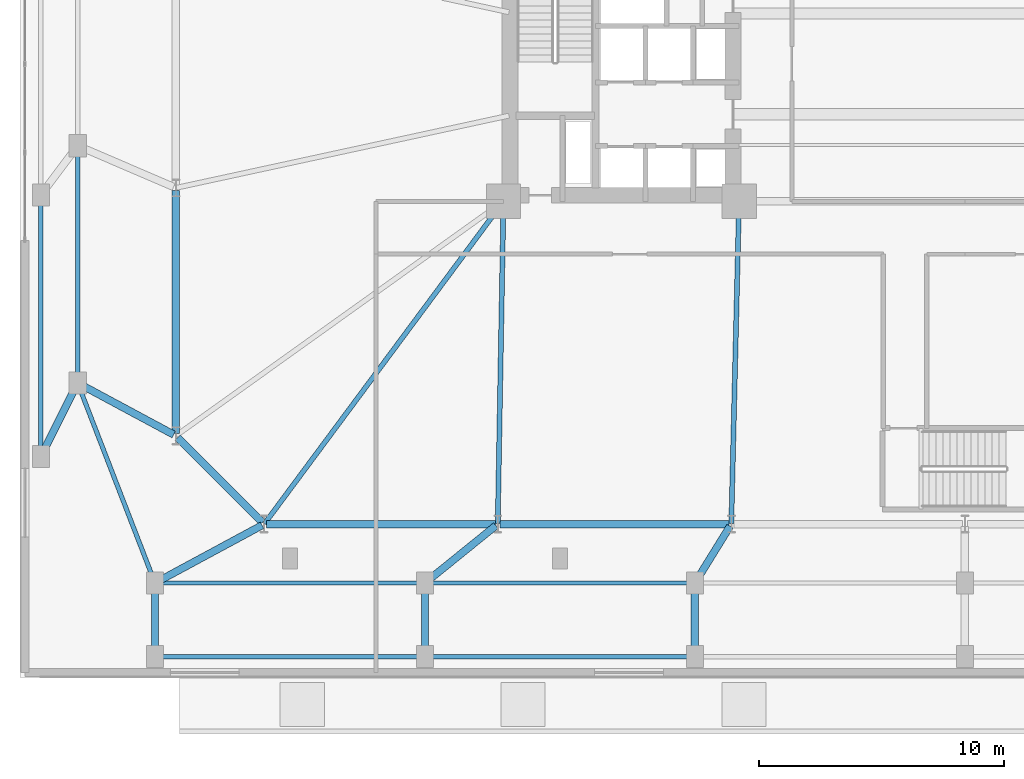
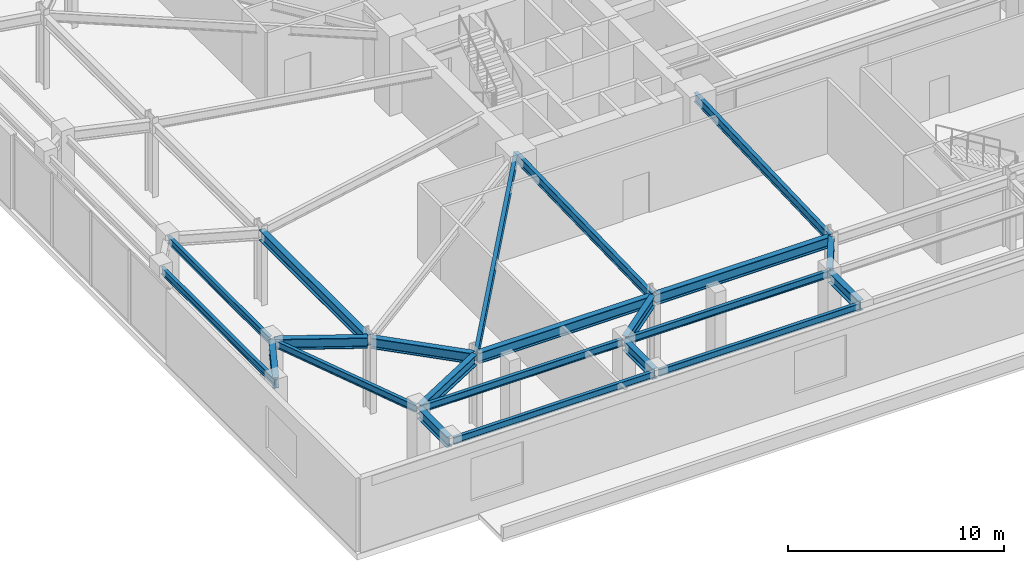
# One storey, part 4 of 21: 22 beams.
"""IFC4 building model written with IfcOpenShell, lengths in metres."""

from ifc_helpers import new_model, si_unit, direction, frame, origin, origin_2d, place, context, subcontext, project, spatial, i_section, extrude, material, material_profile, profile_set, type_object, element, save


model = new_model("IFC4")

# Units and contexts
model_context = context("Model", 3, precision=1e-05, world=origin(), true_north=direction((0.0, 1.0)))
body_context = subcontext(model_context, "Body", "Model", "MODEL_VIEW")
ifc_project = project(units=[si_unit("LENGTHUNIT", "METRE"), si_unit("AREAUNIT", "SQUARE_METRE"), si_unit("VOLUMEUNIT", "CUBIC_METRE"), si_unit("PLANEANGLEUNIT", "RADIAN"), si_unit("MASSUNIT", "GRAM", prefix="KILO")], contexts=[model_context])

# Site, building, storey
site_placement = place(None, origin())
site = spatial("IfcSite", under=ifc_project, at=site_placement, CompositionType="ELEMENT")
building_placement = place(site_placement, origin())
building = spatial("IfcBuilding", under=site, at=building_placement, Name="Qobustan Lattice House", CompositionType="ELEMENT")
storey_placement = place(building_placement, frame((0.0, 0.0, 4.5)))
storey = spatial("IfcBuildingStorey", under=building, at=storey_placement, Name="L01", CompositionType="ELEMENT", Elevation=4.5)

# Beams
ifc_material_1 = material(Name="Steel S355", Category="steel")
ifc_material_profile_1 = material_profile(ifc_material_1, i_section(OverallWidth=0.199951171875, OverallDepth=0.5, WebThickness=0.01025390625, FlangeThickness=0.01611328125, FilletRadius=0.02099609375, at=origin_2d()), Name="IPE500")
ifc_profile_set_1 = profile_set([ifc_material_profile_1], Name="Steel S355")
beam_type_1 = type_object("IfcBeamType", Name="BM-FLG-IPE500", PredefinedType="USERDEFINED", material=ifc_profile_set_1)
beam_1_placement = place(storey_placement, frame((-28.53515625, -18.72998046875, 3.919921875), z_axis=(0.5955916815, 0.803287338956, 0.0), x_axis=(-0.803287338956, 0.5955916815, 0.0)))
element("IfcBeam", 1, at=beam_1_placement, inside=storey, type_object=beam_type_1, Name="L01 primary floor girder RAD-S1W", ObjectType="GIRDER", PredefinedType="USERDEFINED", context=body_context, shape_type="SweptSolid", body=[
    extrude(i_section(OverallWidth=0.199951171875, OverallDepth=0.5, WebThickness=0.01025390625, FlangeThickness=0.01611328125, FilletRadius=0.02099609375, at=origin_2d()), origin(), (0.0, 0.0, 1.0), 16.3203125),
])
beam_2_placement = place(storey_placement, frame((-19.032958984375, -18.72509765625, 3.919921875), z_axis=(0.017757831607, 0.999842317276, 0.0), x_axis=(-0.999842317276, 0.017757831607, 0.0)))
element("IfcBeam", 2, at=beam_2_placement, inside=storey, type_object=beam_type_1, Name="L01 primary floor girder RAD-S2", ObjectType="GIRDER", PredefinedType="USERDEFINED", context=body_context, shape_type="SweptSolid", body=[
    extrude(i_section(OverallWidth=0.199951171875, OverallDepth=0.5, WebThickness=0.01025390625, FlangeThickness=0.01611328125, FilletRadius=0.02099609375, at=origin_2d()), origin(), (0.0, 0.0, 1.0), 13.10205078125),
])
beam_3_placement = place(storey_placement, frame((-9.51611328125, -18.72509765625, 3.919921875), z_axis=(0.024071445657, 0.999710240772, 0.0), x_axis=(-0.999710240772, 0.024071445657, 0.0)))
element("IfcBeam", 3, at=beam_3_placement, inside=storey, type_object=beam_type_1, Name="L01 primary floor girder RAD-S3", ObjectType="GIRDER", PredefinedType="USERDEFINED", context=body_context, shape_type="SweptSolid", body=[
    extrude(i_section(OverallWidth=0.199951171875, OverallDepth=0.5, WebThickness=0.01025390625, FlangeThickness=0.01611328125, FilletRadius=0.02099609375, at=origin_2d()), origin(), (0.0, 0.0, 1.0), 13.10400390625),
])
ifc_material_2 = material(Name="Steel S355", Category="steel")
ifc_material_profile_2 = material_profile(ifc_material_2, i_section(OverallWidth=0.300048828125, OverallDepth=0.60009765625, WebThickness=0.015380859375, FlangeThickness=0.030029296875, FilletRadius=0.027099609375, at=origin_2d()), Name="HEB600")
ifc_profile_set_2 = profile_set([ifc_material_profile_2], Name="Steel S355")
beam_type_2 = type_object("IfcBeamType", Name="BM-POD-HEB600", PredefinedType="USERDEFINED", material=ifc_profile_set_2)
for number, where, z_axis, x_axis, name in (
    (4, (-33.0, -24.030029296875, 3.8701171875), (0.0, 1.0, 0.0), (-1.0, 0.0, 0.0), "L01 south terrace tie girder 1"),
    (5, (-22.0, -24.030029296875, 3.8701171875), (0.0, 1.0, 0.0), (-1.0, 0.0, 0.0), "L01 south terrace tie girder 2"),
    (6, (-11.0, -24.030029296875, 3.8701171875), (0.0, 1.0, 0.0), (-1.0, 0.0, 0.0), "L01 south terrace tie girder 3"),
):
    element("IfcBeam", number, at=place(storey_placement, frame(where, z_axis=z_axis, x_axis=x_axis)), inside=storey, type_object=beam_type_2, Name=name, ObjectType="GIRDER", PredefinedType="USERDEFINED", context=body_context, shape_type="SweptSolid", body=[
        extrude(i_section(OverallWidth=0.300048828125, OverallDepth=0.60009765625, WebThickness=0.015380859375, FlangeThickness=0.030029296875, FilletRadius=0.027099609375, at=origin_2d()), origin(), (0.0, 0.0, 1.0), 2.760009765625),
    ])
beam_4_placement = place(storey_placement, frame((-37.59619140625, -15.892578125, 3.8701171875), z_axis=(0.4472135955, 0.894427191, 0.0), x_axis=(-0.894427191, 0.4472135955, 0.0)))
element("IfcBeam", 7, at=beam_4_placement, inside=storey, type_object=beam_type_2, Name="L01 setback tie girder PWL1", ObjectType="GIRDER", PredefinedType="USERDEFINED", context=body_context, shape_type="SweptSolid", body=[
    extrude(i_section(OverallWidth=0.300048828125, OverallDepth=0.60009765625, WebThickness=0.015380859375, FlangeThickness=0.030029296875, FilletRadius=0.027099609375, at=origin_2d()), origin(), (0.0, 0.0, 1.0), 3.114013671875),
])
for number, where, z_axis, x_axis, name in (
    (8, (-28.449951171875, -18.75, 3.8701171875), (1.0, 0.0, 0.0), (0.0, 1.0, 0.0), "L01 tower base ring girder S1-S2"),
    (9, (-18.933349609375, -18.75, 3.8701171875), (1.0, 0.0, 0.0), (0.0, 1.0, 0.0), "L01 tower base ring girder S2-S3"),
):
    element("IfcBeam", number, at=place(storey_placement, frame(where, z_axis=z_axis, x_axis=x_axis)), inside=storey, type_object=beam_type_2, Name=name, ObjectType="GIRDER", PredefinedType="USERDEFINED", context=body_context, shape_type="SweptSolid", body=[
        extrude(i_section(OverallWidth=0.300048828125, OverallDepth=0.60009765625, WebThickness=0.015380859375, FlangeThickness=0.030029296875, FilletRadius=0.027099609375, at=origin_2d()), origin(), (0.0, 0.0, 1.0), 9.316650390625),
    ])
beam_5_placement = place(storey_placement, frame((-32.14990234375, -5.14990234375, 3.8701171875), z_axis=(0.0, -1.0, 0.0), x_axis=(1.0, 0.0, 0.0)))
element("IfcBeam", 10, at=beam_5_placement, inside=storey, type_object=beam_type_2, Name="L01 tower base ring girder W3-W4", ObjectType="GIRDER", PredefinedType="USERDEFINED", context=body_context, shape_type="SweptSolid", body=[
    extrude(i_section(OverallWidth=0.300048828125, OverallDepth=0.60009765625, WebThickness=0.015380859375, FlangeThickness=0.030029296875, FilletRadius=0.027099609375, at=origin_2d()), origin(), (0.0, 0.0, 1.0), 9.900146484375),
])
beam_6_placement = place(storey_placement, frame((-32.079345703125, -15.220703125, 3.8701171875), z_axis=(0.70713173775, -0.707081823743, 0.0), x_axis=(0.707081823743, 0.70713173775, 0.0)))
element("IfcBeam", 11, at=beam_6_placement, inside=storey, type_object=beam_type_2, Name="L01 tower base ring girder W4-S1", ObjectType="GIRDER", PredefinedType="USERDEFINED", context=body_context, shape_type="SweptSolid", body=[
    extrude(i_section(OverallWidth=0.300048828125, OverallDepth=0.60009765625, WebThickness=0.015380859375, FlangeThickness=0.030029296875, FilletRadius=0.027099609375, at=origin_2d()), origin(), (0.0, 0.0, 1.0), 4.89111328125),
])
beam_7_placement = place(storey_placement, frame((-32.894287109375, -21.093017578125, 3.8701171875), z_axis=(0.88016615165, 0.474665719732, 0.0), x_axis=(-0.474665719732, 0.88016615165, 0.0)))
element("IfcBeam", 12, at=beam_7_placement, inside=storey, type_object=beam_type_2, Name="L01 podium radial girder PS1", ObjectType="GIRDER", PredefinedType="USERDEFINED", context=body_context, shape_type="SweptSolid", body=[
    extrude(i_section(OverallWidth=0.300048828125, OverallDepth=0.60009765625, WebThickness=0.015380859375, FlangeThickness=0.030029296875, FilletRadius=0.027099609375, at=origin_2d()), origin(), (0.0, 0.0, 1.0), 4.8359375),
])
beam_8_placement = place(storey_placement, frame((-21.90673828125, -21.074462890625, 3.8701171875), z_axis=(0.777472502595, 0.62891693228, 0.0), x_axis=(-0.62891693228, 0.777472502595, 0.0)))
element("IfcBeam", 13, at=beam_8_placement, inside=storey, type_object=beam_type_2, Name="L01 podium radial girder PS2", ObjectType="GIRDER", PredefinedType="USERDEFINED", context=body_context, shape_type="SweptSolid", body=[
    extrude(i_section(OverallWidth=0.300048828125, OverallDepth=0.60009765625, WebThickness=0.015380859375, FlangeThickness=0.030029296875, FilletRadius=0.027099609375, at=origin_2d()), origin(), (0.0, 0.0, 1.0), 3.595703125),
])
beam_9_placement = place(storey_placement, frame((-10.93701171875, -21.0478515625, 3.8701171875), z_axis=(0.525782588011, 0.850618992349, 0.0), x_axis=(-0.850618992349, 0.525782588011, 0.0)))
element("IfcBeam", 14, at=beam_9_placement, inside=storey, type_object=beam_type_2, Name="L01 podium radial girder PS3", ObjectType="GIRDER", PredefinedType="USERDEFINED", context=body_context, shape_type="SweptSolid", body=[
    extrude(i_section(OverallWidth=0.300048828125, OverallDepth=0.60009765625, WebThickness=0.015380859375, FlangeThickness=0.030029296875, FilletRadius=0.027099609375, at=origin_2d()), origin(), (0.0, 0.0, 1.0), 2.601318359375),
])
beam_10_placement = place(storey_placement, frame((-36.044189453125, -13.056884765625, 3.8701171875), z_axis=(0.880815561441, -0.473459551307, 0.0), x_axis=(0.473459551307, 0.880815561441, 0.0)))
element("IfcBeam", 15, at=beam_10_placement, inside=storey, type_object=beam_type_2, Name="L01 podium radial girder PW1", ObjectType="GIRDER", PredefinedType="USERDEFINED", context=body_context, shape_type="SweptSolid", body=[
    extrude(i_section(OverallWidth=0.300048828125, OverallDepth=0.60009765625, WebThickness=0.015380859375, FlangeThickness=0.030029296875, FilletRadius=0.027099609375, at=origin_2d()), origin(), (0.0, 0.0, 1.0), 4.3212890625),
])
ifc_material_3 = material(Name="Steel S355", Category="steel")
ifc_material_profile_3 = material_profile(ifc_material_3, i_section(OverallWidth=0.179931640625, OverallDepth=0.39990234375, WebThickness=0.008544921875, FlangeThickness=0.013427734375, FilletRadius=0.02099609375, at=origin_2d()), Name="IPE400")
ifc_profile_set_3 = profile_set([ifc_material_profile_3], Name="Steel S355")
beam_type_3 = type_object("IfcBeamType", Name="BM-SPD-IPE400", PredefinedType="SPANDREL", material=ifc_profile_set_3)
for number, where, z_axis, x_axis, name in (
    (16, (-32.8798828125, -21.14990234375, 3.969970703125), (1.0, 0.0, 0.0), (0.0, 1.0, 0.0), "L01 podium spandrel PS1-PS2"),
    (17, (-21.8798828125, -21.14990234375, 3.969970703125), (1.0, 0.0, 0.0), (0.0, 1.0, 0.0), "L01 podium spandrel PS2-PS3"),
):
    element("IfcBeam", number, at=place(storey_placement, frame(where, z_axis=z_axis, x_axis=x_axis)), inside=storey, type_object=beam_type_3, Name=name, PredefinedType="SPANDREL", context=body_context, shape_type="SweptSolid", body=[
        extrude(i_section(OverallWidth=0.179931640625, OverallDepth=0.39990234375, WebThickness=0.008544921875, FlangeThickness=0.013427734375, FilletRadius=0.02099609375, at=origin_2d()), origin(), (0.0, 0.0, 1.0), 10.759765625),
    ])
beam_11_placement = place(storey_placement, frame((-36.14990234375, -12.8798828125, 3.969970703125), z_axis=(0.0, 1.0, 0.0), x_axis=(-1.0, 0.0, 0.0)))
element("IfcBeam", 18, at=beam_11_placement, inside=storey, type_object=beam_type_3, Name="L01 podium spandrel PW1-PW2", PredefinedType="SPANDREL", context=body_context, shape_type="SweptSolid", body=[
    extrude(i_section(OverallWidth=0.179931640625, OverallDepth=0.39990234375, WebThickness=0.008544921875, FlangeThickness=0.013427734375, FilletRadius=0.02099609375, at=origin_2d()), origin(), (0.0, 0.0, 1.0), 9.426513671875),
])
beam_12_placement = place(storey_placement, frame((-33.043212890625, -21.0380859375, 3.969970703125), z_axis=(-0.360507225068, 0.93275642087, 0.0), x_axis=(-0.93275642087, -0.360507225068, 0.0)))
element("IfcBeam", 19, at=beam_12_placement, inside=storey, type_object=beam_type_3, Name="L01 podium corner tie PS1-PW1", PredefinedType="SPANDREL", context=body_context, shape_type="SweptSolid", body=[
    extrude(i_section(OverallWidth=0.179931640625, OverallDepth=0.39990234375, WebThickness=0.008544921875, FlangeThickness=0.013427734375, FilletRadius=0.02099609375, at=origin_2d()), origin(), (0.0, 0.0, 1.0), 8.497802734375),
])
for number, where, z_axis, x_axis, name in (
    (20, (-32.8798828125, -24.14990234375, 3.969970703125), (1.0, 0.0, 0.0), (0.0, 1.0, 0.0), "L01 lower podium spandrel PSL1-PSL2"),
    (21, (-21.8798828125, -24.14990234375, 3.969970703125), (1.0, 0.0, 0.0), (0.0, 1.0, 0.0), "L01 lower podium spandrel PSL2-PSL3"),
):
    element("IfcBeam", number, at=place(storey_placement, frame(where, z_axis=z_axis, x_axis=x_axis)), inside=storey, type_object=beam_type_3, Name=name, PredefinedType="SPANDREL", context=body_context, shape_type="SweptSolid", body=[
        extrude(i_section(OverallWidth=0.179931640625, OverallDepth=0.39990234375, WebThickness=0.008544921875, FlangeThickness=0.013427734375, FilletRadius=0.02099609375, at=origin_2d()), origin(), (0.0, 0.0, 1.0), 10.759765625),
    ])
beam_13_placement = place(storey_placement, frame((-37.64990234375, -15.8798828125, 3.969970703125), z_axis=(0.0, 1.0, 0.0), x_axis=(-1.0, 0.0, 0.0)))
element("IfcBeam", 22, at=beam_13_placement, inside=storey, type_object=beam_type_3, Name="L01 lower podium spandrel PWL1-PWL2", PredefinedType="SPANDREL", context=body_context, shape_type="SweptSolid", body=[
    extrude(i_section(OverallWidth=0.179931640625, OverallDepth=0.39990234375, WebThickness=0.008544921875, FlangeThickness=0.013427734375, FilletRadius=0.02099609375, at=origin_2d()), origin(), (0.0, 0.0, 1.0), 10.426513671875),
])

save(model, "model.ifc")
